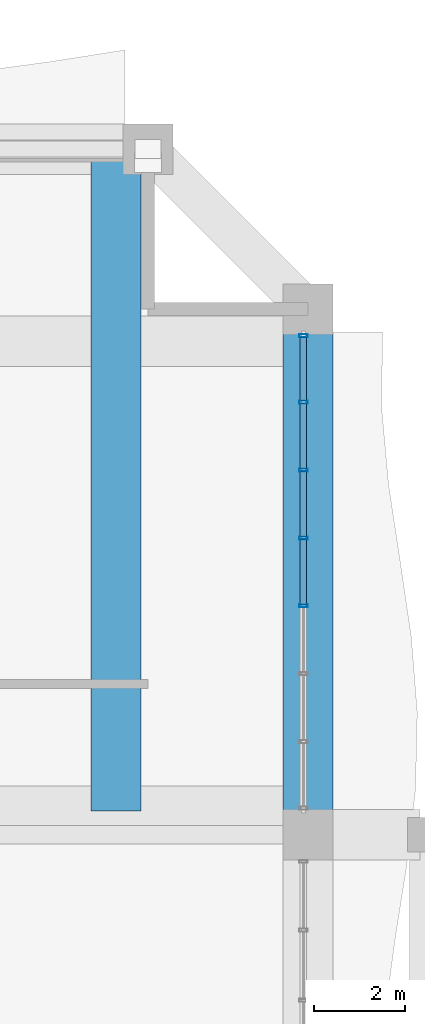
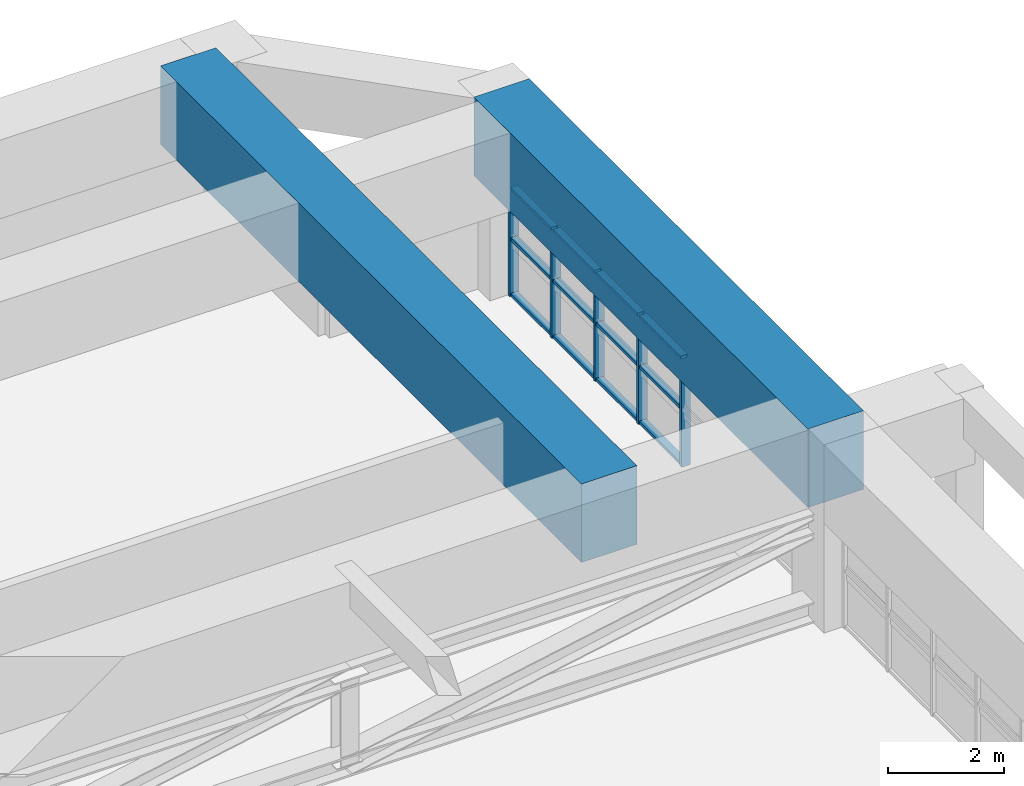
# One storey, part 25 of 35: 17 members, 2 beams, 1 element without a shape of its own.
"""IFC4 building model written with IfcOpenShell, lengths in metres."""

from ifc_helpers import new_model, si_unit, direction, frame, origin, origin_2d, place, context, subcontext, project, spatial, rectangle, hollow_rectangle, extrude, source, transform, mapped, material, layer, layer_set, material_profile, profile_set, type_object, element, aggregate, save


model = new_model("IFC4")

# Units and contexts
model_context = context("Model", 3, precision=1e-05, world=origin(), true_north=direction((0.0, 1.0)))
body_context = subcontext(model_context, "Body", "Model", "MODEL_VIEW")
ifc_project = project(units=[si_unit("LENGTHUNIT", "METRE"), si_unit("AREAUNIT", "SQUARE_METRE"), si_unit("VOLUMEUNIT", "CUBIC_METRE"), si_unit("PLANEANGLEUNIT", "RADIAN"), si_unit("MASSUNIT", "GRAM", prefix="KILO")], contexts=[model_context])

# Site, building, storey
site_placement = place(None, origin())
site = spatial("IfcSite", under=ifc_project, at=site_placement, CompositionType="ELEMENT")
building_placement = place(site_placement, origin())
building = spatial("IfcBuilding", under=site, at=building_placement, Name="Saelheon Loggia Tower", CompositionType="ELEMENT")
storey_placement = place(building_placement, frame((0.0, 0.0, 70.39990234375)))
storey = spatial("IfcBuildingStorey", under=building, at=storey_placement, Name="L22", CompositionType="ELEMENT", Elevation=70.39990234375)

# Beams
ifc_material_1 = material(Name="Concrete C50/60", Category="concrete")
ifc_material_profile_1 = material_profile(ifc_material_1, rectangle(XDim=1.10009765625, YDim=1.64990234375, at=origin_2d()), Name="RC-1100x1650")
ifc_profile_set_1 = profile_set([ifc_material_profile_1], Name="Concrete C50/60")
beam_type_1 = type_object("IfcBeamType", Name="Beam_PerimMega_RC1100x1650", PredefinedType="BEAM", material=ifc_profile_set_1)
shared_shape_1 = source(origin(), body_context, "Body", "SweptSolid", [
    extrude(rectangle(XDim=1.10009765625, YDim=1.64990234375, at=origin_2d()), origin(), (0.0, 0.0, 1.0), 11.5),
])
beam_1_placement = place(storey_placement, frame((64.0, 36.0, 3.125), z_axis=(0.0, 1.0, 0.0), x_axis=(-1.0, 0.0, 0.0)))
element("IfcBeam", 1, at=beam_1_placement, inside=storey, type_object=beam_type_1, Name="L22 Perimeter Frame Girder 07", PredefinedType="BEAM", context=body_context, shape_type="MappedRepresentation", body=[
    mapped(shared_shape_1, transform((0.0, 0.0, 0.0), scale=1.0)),
])
ifc_material_profile_2 = material_profile(ifc_material_1, rectangle(XDim=1.10009765625, YDim=1.64990234375, at=origin_2d()), Name="RC-1100x1650")
ifc_profile_set_2 = profile_set([ifc_material_profile_2], Name="Concrete C50/60")
beam_type_2 = type_object("IfcBeamType", Name="Beam_MegaTransfer_RC1100x1650", PredefinedType="BEAM", material=ifc_profile_set_2)
shared_shape_2 = source(origin(), body_context, "Body", "SweptSolid", [
    extrude(rectangle(XDim=1.10009765625, YDim=1.64990234375, at=origin_2d()), origin(), (0.0, 0.0, 1.0), 14.47998046875),
])
beam_2_placement = place(storey_placement, frame((59.800048828125, 36.52001953125, 3.125), z_axis=(0.0, 1.0, 0.0), x_axis=(-1.0, 0.0, 0.0)))
element("IfcBeam", 2, at=beam_2_placement, inside=storey, type_object=beam_type_2, Name="TG-L22-NL-NE", PredefinedType="BEAM", context=body_context, shape_type="MappedRepresentation", body=[
    mapped(shared_shape_2, transform((0.0, 0.0, 0.0), scale=1.0)),
])

# Curtain wall, members
ifc_material_2 = material(Name="Anodised Aluminium Acoustic Louvre Curtain Wall", Category="aluminium")
ifc_layer = layer(ifc_material_2, 0.179931640625)
ifc_layer_set = layer_set([ifc_layer], Name="Anodised Aluminium Acoustic Louvre Curtain Wall")
curtain_wall_type = type_object("IfcCurtainWallType", Name="CW_RefugeAcoustic", PredefinedType="NOTDEFINED", material=ifc_layer_set)
curtain_wall_placement = place(storey_placement, origin())
curtain_wall = element("IfcCurtainWall", 3, at=curtain_wall_placement, inside=storey, type_object=curtain_wall_type, Name="L22 E Refuge Acoustic Curtain Wall 3", PredefinedType="NOTDEFINED")
ifc_material_3 = material(Name="Anodised Aluminium 6063-T6", Category="aluminium")
ifc_material_profile_3 = material_profile(ifc_material_3, hollow_rectangle(XDim=0.06494140625, YDim=0.179931640625, WallThickness=0.00390625, at=origin_2d()), Name="RHS-180x65x4")
ifc_profile_set_3 = profile_set([ifc_material_profile_3], Name="Anodised Aluminium 6063-T6")
member_type_1 = type_object("IfcMemberType", Name="CW_RefugeAcoustic_Mullion", PredefinedType="MULLION", material=ifc_profile_set_3)
shared_shape_3 = source(origin(), body_context, "Body", "SweptSolid", [
    extrude(hollow_rectangle(XDim=0.06494140625, YDim=0.179931640625, WallThickness=0.00390625, at=origin_2d()), origin(), (0.0, 0.0, 1.0), 2.2900390625),
])
member_1_placement = place(storey_placement, frame((63.89990234375, 41.007080078125, 0.0), z_axis=(0.0, 0.0, 1.0), x_axis=(0.0, 1.0, 0.0)))
member_1 = element("IfcMember", 4, at=member_1_placement, type_object=member_type_1, Name="CW5 mullion 4", PredefinedType="MULLION", context=body_context, shape_type="MappedRepresentation", body=[
    mapped(shared_shape_3, transform((0.0, 0.0, 0.0), scale=1.0)),
])
member_2_placement = place(storey_placement, frame((63.89990234375, 42.492919921875, 0.0), z_axis=(0.0, 0.0, 1.0), x_axis=(0.0, 1.0, 0.0)))
member_2 = element("IfcMember", 5, at=member_2_placement, type_object=member_type_1, Name="CW5 mullion 5", PredefinedType="MULLION", context=body_context, shape_type="MappedRepresentation", body=[
    mapped(shared_shape_3, transform((0.0, 0.0, 0.0), scale=1.0)),
])
member_3_placement = place(storey_placement, frame((63.89990234375, 43.978515625, 0.0), z_axis=(0.0, 0.0, 1.0), x_axis=(0.0, 1.0, 0.0)))
member_3 = element("IfcMember", 6, at=member_3_placement, type_object=member_type_1, Name="CW5 mullion 6", PredefinedType="MULLION", context=body_context, shape_type="MappedRepresentation", body=[
    mapped(shared_shape_3, transform((0.0, 0.0, 0.0), scale=1.0)),
])
member_4_placement = place(storey_placement, frame((63.89990234375, 45.46435546875, 0.0), z_axis=(0.0, 0.0, 1.0), x_axis=(0.0, 1.0, 0.0)))
member_4 = element("IfcMember", 7, at=member_4_placement, type_object=member_type_1, Name="CW5 mullion 7", PredefinedType="MULLION", context=body_context, shape_type="MappedRepresentation", body=[
    mapped(shared_shape_3, transform((0.0, 0.0, 0.0), scale=1.0)),
])
member_5_placement = place(storey_placement, frame((63.89990234375, 46.91748046875, 0.0), z_axis=(0.0, 0.0, 1.0), x_axis=(0.0, 1.0, 0.0)))
member_5 = element("IfcMember", 8, at=member_5_placement, type_object=member_type_1, Name="CW5 mullion 8", PredefinedType="MULLION", context=body_context, shape_type="MappedRepresentation", body=[
    mapped(shared_shape_3, transform((0.0, 0.0, 0.0), scale=1.0)),
])
ifc_material_profile_4 = material_profile(ifc_material_3, hollow_rectangle(XDim=0.06494140625, YDim=0.139892578125, WallThickness=0.00390625, at=origin_2d()), Name="RHS-140x65x4")
ifc_profile_set_4 = profile_set([ifc_material_profile_4], Name="Anodised Aluminium 6063-T6")
member_type_2 = type_object("IfcMemberType", Name="CW_RefugeAcoustic_Transom", PredefinedType="USERDEFINED", material=ifc_profile_set_4)
shared_shape_4 = source(origin(), body_context, "Body", "SweptSolid", [
    extrude(hollow_rectangle(XDim=0.06494140625, YDim=0.139892578125, WallThickness=0.00390625, at=origin_2d()), origin(), (0.0, 0.0, 1.0), 1.38818359375),
])
member_6_placement = place(storey_placement, frame((63.89990234375, 45.496826171875, 0.03271484375), z_axis=(0.0, 1.0, 0.0), x_axis=(0.0, 0.0, 1.0)))
member_6 = element("IfcMember", 9, at=member_6_placement, type_object=member_type_2, Name="CW5 transom 7.1", ObjectType="TRANSOM", PredefinedType="USERDEFINED", context=body_context, shape_type="MappedRepresentation", body=[
    mapped(shared_shape_4, transform((0.0, 0.0, 0.0), scale=1.0)),
])
member_7_placement = place(storey_placement, frame((63.89990234375, 45.496826171875, 1.2001953125), z_axis=(0.0, 1.0, 0.0), x_axis=(0.0, 0.0, 1.0)))
member_7 = element("IfcMember", 10, at=member_7_placement, type_object=member_type_2, Name="CW5 transom 7.2", ObjectType="TRANSOM", PredefinedType="USERDEFINED", context=body_context, shape_type="MappedRepresentation", body=[
    mapped(shared_shape_4, transform((0.0, 0.0, 0.0), scale=1.0)),
])
member_8_placement = place(storey_placement, frame((63.89990234375, 45.496826171875, 2.257568359375), z_axis=(0.0, 1.0, 0.0), x_axis=(0.0, 0.0, 1.0)))
member_8 = element("IfcMember", 11, at=member_8_placement, type_object=member_type_2, Name="CW5 transom 7.3", ObjectType="TRANSOM", PredefinedType="USERDEFINED", context=body_context, shape_type="MappedRepresentation", body=[
    mapped(shared_shape_4, transform((0.0, 0.0, 0.0), scale=1.0)),
])
shared_shape_5 = source(origin(), body_context, "Body", "SweptSolid", [
    extrude(hollow_rectangle(XDim=0.06494140625, YDim=0.139892578125, WallThickness=0.00390625, at=origin_2d()), origin(), (0.0, 0.0, 1.0), 1.4208984375),
])
member_9_placement = place(storey_placement, frame((63.89990234375, 41.03955078125, 0.03271484375), z_axis=(0.0, 1.0, 0.0), x_axis=(0.0, 0.0, 1.0)))
member_9 = element("IfcMember", 12, at=member_9_placement, type_object=member_type_2, Name="CW5 transom 4.1", ObjectType="TRANSOM", PredefinedType="USERDEFINED", context=body_context, shape_type="MappedRepresentation", body=[
    mapped(shared_shape_5, transform((0.0, 0.0, 0.0), scale=1.0)),
])
member_10_placement = place(storey_placement, frame((63.89990234375, 41.03955078125, 1.2001953125), z_axis=(0.0, 1.0, 0.0), x_axis=(0.0, 0.0, 1.0)))
member_10 = element("IfcMember", 13, at=member_10_placement, type_object=member_type_2, Name="CW5 transom 4.2", ObjectType="TRANSOM", PredefinedType="USERDEFINED", context=body_context, shape_type="MappedRepresentation", body=[
    mapped(shared_shape_5, transform((0.0, 0.0, 0.0), scale=1.0)),
])
member_11_placement = place(storey_placement, frame((63.89990234375, 41.03955078125, 2.257568359375), z_axis=(0.0, 1.0, 0.0), x_axis=(0.0, 0.0, 1.0)))
member_11 = element("IfcMember", 14, at=member_11_placement, type_object=member_type_2, Name="CW5 transom 4.3", ObjectType="TRANSOM", PredefinedType="USERDEFINED", context=body_context, shape_type="MappedRepresentation", body=[
    mapped(shared_shape_5, transform((0.0, 0.0, 0.0), scale=1.0)),
])
member_12_placement = place(storey_placement, frame((63.89990234375, 44.010986328125, 0.03271484375), z_axis=(0.0, 1.0, 0.0), x_axis=(0.0, 0.0, 1.0)))
member_12 = element("IfcMember", 15, at=member_12_placement, type_object=member_type_2, Name="CW5 transom 6.1", ObjectType="TRANSOM", PredefinedType="USERDEFINED", context=body_context, shape_type="MappedRepresentation", body=[
    mapped(shared_shape_5, transform((0.0, 0.0, 0.0), scale=1.0)),
])
member_13_placement = place(storey_placement, frame((63.89990234375, 44.010986328125, 1.2001953125), z_axis=(0.0, 1.0, 0.0), x_axis=(0.0, 0.0, 1.0)))
member_13 = element("IfcMember", 16, at=member_13_placement, type_object=member_type_2, Name="CW5 transom 6.2", ObjectType="TRANSOM", PredefinedType="USERDEFINED", context=body_context, shape_type="MappedRepresentation", body=[
    mapped(shared_shape_5, transform((0.0, 0.0, 0.0), scale=1.0)),
])
member_14_placement = place(storey_placement, frame((63.89990234375, 44.010986328125, 2.257568359375), z_axis=(0.0, 1.0, 0.0), x_axis=(0.0, 0.0, 1.0)))
member_14 = element("IfcMember", 17, at=member_14_placement, type_object=member_type_2, Name="CW5 transom 6.3", ObjectType="TRANSOM", PredefinedType="USERDEFINED", context=body_context, shape_type="MappedRepresentation", body=[
    mapped(shared_shape_5, transform((0.0, 0.0, 0.0), scale=1.0)),
])
shared_shape_6 = source(origin(), body_context, "Body", "SweptSolid", [
    extrude(hollow_rectangle(XDim=0.06494140625, YDim=0.139892578125, WallThickness=0.00390625, at=origin_2d()), origin(), (0.0, 0.0, 1.0), 1.420654296875),
])
member_15_placement = place(storey_placement, frame((63.89990234375, 42.525390625, 0.03271484375), z_axis=(0.0, 1.0, 0.0), x_axis=(0.0, 0.0, 1.0)))
member_15 = element("IfcMember", 18, at=member_15_placement, type_object=member_type_2, Name="CW5 transom 5.1", ObjectType="TRANSOM", PredefinedType="USERDEFINED", context=body_context, shape_type="MappedRepresentation", body=[
    mapped(shared_shape_6, transform((0.0, 0.0, 0.0), scale=1.0)),
])
member_16_placement = place(storey_placement, frame((63.89990234375, 42.525390625, 1.2001953125), z_axis=(0.0, 1.0, 0.0), x_axis=(0.0, 0.0, 1.0)))
member_16 = element("IfcMember", 19, at=member_16_placement, type_object=member_type_2, Name="CW5 transom 5.2", ObjectType="TRANSOM", PredefinedType="USERDEFINED", context=body_context, shape_type="MappedRepresentation", body=[
    mapped(shared_shape_6, transform((0.0, 0.0, 0.0), scale=1.0)),
])
member_17_placement = place(storey_placement, frame((63.89990234375, 42.525390625, 2.257568359375), z_axis=(0.0, 1.0, 0.0), x_axis=(0.0, 0.0, 1.0)))
member_17 = element("IfcMember", 20, at=member_17_placement, type_object=member_type_2, Name="CW5 transom 5.3", ObjectType="TRANSOM", PredefinedType="USERDEFINED", context=body_context, shape_type="MappedRepresentation", body=[
    mapped(shared_shape_6, transform((0.0, 0.0, 0.0), scale=1.0)),
])
aggregate(curtain_wall, [member_1, member_2, member_3, member_4, member_5, member_9, member_10, member_11, member_15, member_16, member_17, member_12, member_13, member_14, member_6, member_7, member_8])

save(model, "model.ifc")
